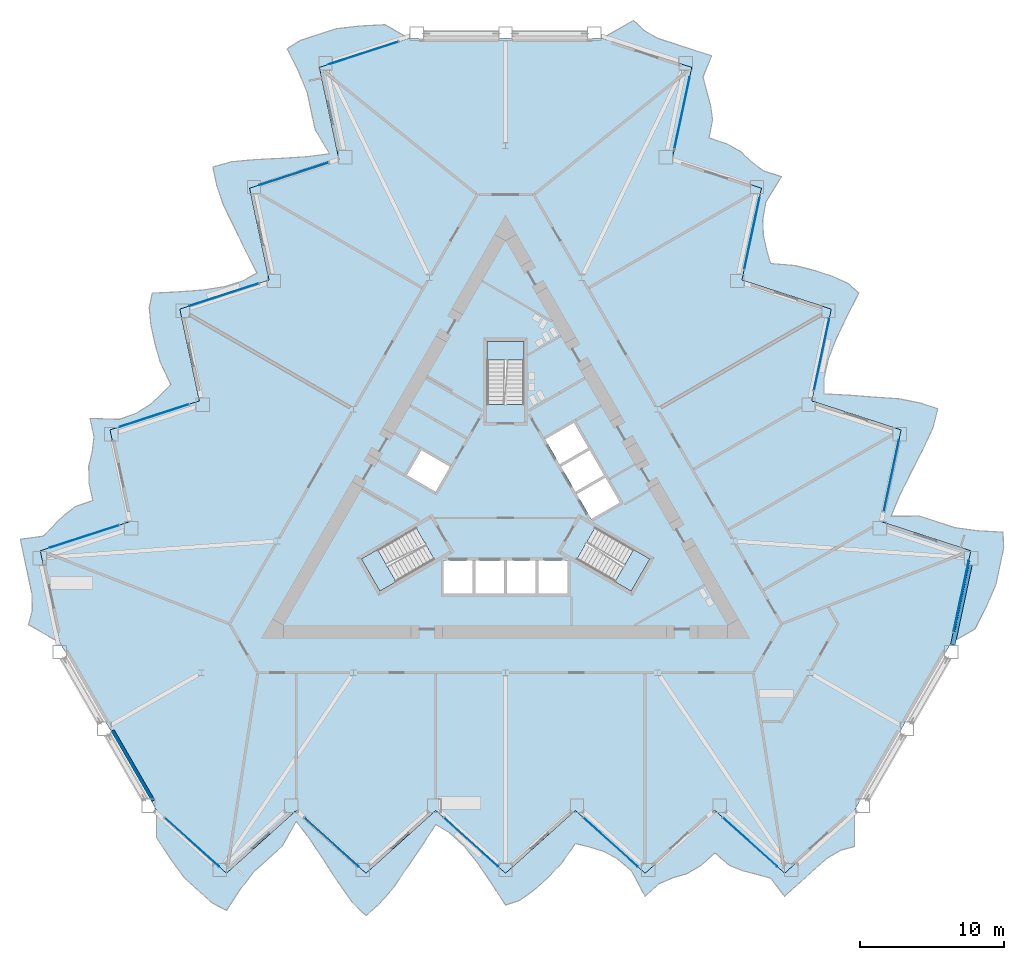
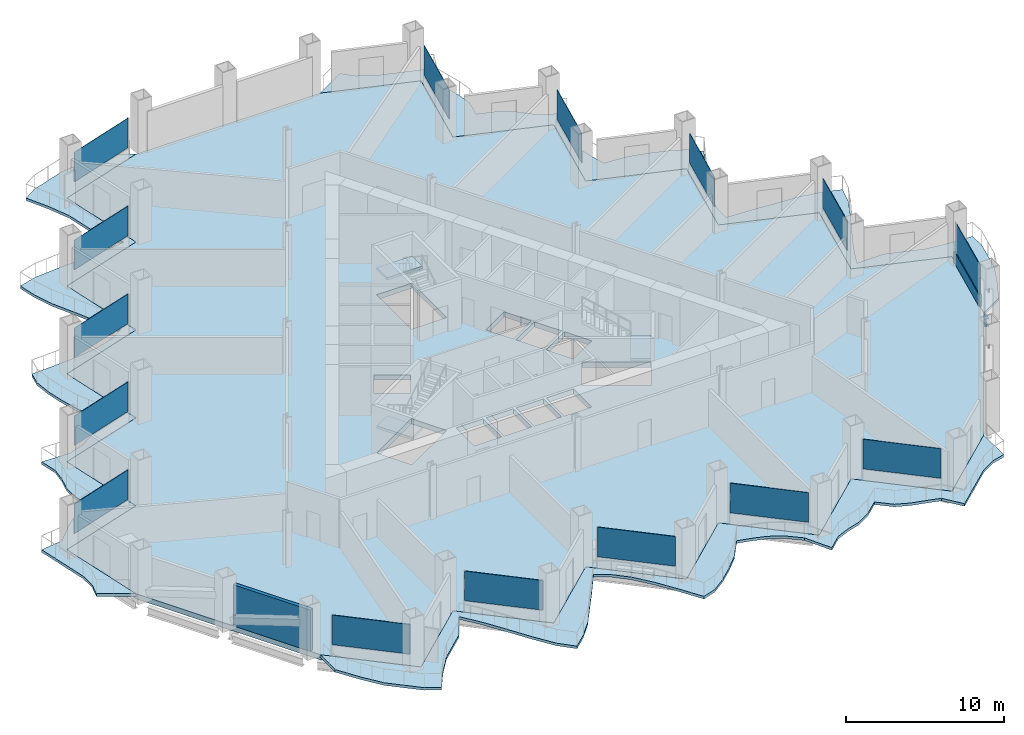
# One storey, part 8 of 21: 15 plates, 7 slabs, 1 beam, 1 member, 1 wall, 18 elements without a shape of their own.
"""IFC4 building model written with IfcOpenShell, lengths in metres."""

import ifcopenshell
import ifcopenshell.guid

model = None  # the IFC model being written
_history = None  # IfcOwnerHistory: only IFC2X3 demands one
_inside = {}  # id of a spatial element -> (the spatial element, [elements in it])
_under = {}  # id of a project, library or spatial element -> (it, [spatial elements below it])
_declared = {}  # id of a project -> (the project, [libraries it declares])
_typed = {}  # id of a type object -> (the type object, [elements of that type])
_made_of = {}  # id of a material, layer set ... -> (it, [elements and type objects made of it])


def new_model(schema):
    """Start an empty IFC model of exactly this schema.

    Asked for "IFC4X3", IfcOpenShell would pick the latest addendum, in which some entities
    have other attributes; the version numbers below select the first issue.
    IFC2X3 requires an IfcOwnerHistory on every rooted entity: one is made here for all.
    """
    global model, _history
    if schema == "IFC4X3":
        model = ifcopenshell.file(schema_version=(4, 3, 0, 0))
    else:
        model = ifcopenshell.file(schema=schema)
    _inside.clear()
    _under.clear()
    _declared.clear()
    _typed.clear()
    _made_of.clear()
    _history = None
    if model.schema == "IFC2X3":
        org = make("IfcOrganization", Name="unknown")
        user = make(
            "IfcPersonAndOrganization",
            ThePerson=make("IfcPerson", FamilyName="unknown"),
            TheOrganization=org,
        )
        app = make(
            "IfcApplication",
            ApplicationDeveloper=org,
            Version="unknown",
            ApplicationFullName="unknown",
            ApplicationIdentifier="unknown",
        )
        _history = make(
            "IfcOwnerHistory",
            OwningUser=user,
            OwningApplication=app,
            ChangeAction="ADDED",
            CreationDate=0,
        )
    return model


def make(cls, **values):
    """One entity of the class cls with the attributes given. An attribute that is None is left unset."""
    return model.create_entity(
        cls, **{name: value for name, value in values.items() if value is not None}
    )


def rooted(cls, **values):
    """An entity with a GlobalId (a new one), such as an element, a storey or a relation."""
    return make(cls, GlobalId=ifcopenshell.guid.new(), OwnerHistory=_history, **values)


def si_unit(unit_type, name, prefix=None):
    """IfcSIUnit, for example si_unit("LENGTHUNIT", "METRE", prefix="MILLI")."""
    return make("IfcSIUnit", UnitType=unit_type, Prefix=prefix, Name=name)


def assignment(units):
    """IfcUnitAssignment: the units of a project."""
    return None if units is None else make("IfcUnitAssignment", Units=units)


def point(xyz):
    """IfcCartesianPoint."""
    return None if xyz is None else make("IfcCartesianPoint", Coordinates=xyz)


def direction(xyz):
    """IfcDirection."""
    return None if xyz is None else make("IfcDirection", DirectionRatios=xyz)


def frame(location, z_axis=None, x_axis=None):
    """IfcAxis2Placement3D, a coordinate frame: its origin and axes. An axis left out is left unset."""
    return make(
        "IfcAxis2Placement3D",
        Location=point(location),
        Axis=direction(z_axis),
        RefDirection=direction(x_axis),
    )


def frame_2d(location, x_axis=None):
    """IfcAxis2Placement2D, a coordinate frame in the plane: its origin and x axis."""
    return make(
        "IfcAxis2Placement2D", Location=point(location), RefDirection=direction(x_axis)
    )


def origin():
    """The frame at (0, 0, 0) with its axes left unset."""
    return frame((0.0, 0.0, 0.0))


def origin_2d():
    """The frame at (0, 0) in the plane with its x axis left unset."""
    return frame_2d((0.0, 0.0))


def place(relative_to, where):
    """IfcLocalPlacement: puts the frame where relative to a parent placement (None: the world)."""
    return make(
        "IfcLocalPlacement", PlacementRelTo=relative_to, RelativePlacement=where
    )


def context(
    kind, dimensions, precision=None, world=None, true_north=None, identifier=None
):
    """IfcGeometricRepresentationContext, for example the 3D "Model" context."""
    return make(
        "IfcGeometricRepresentationContext",
        ContextIdentifier=identifier,
        ContextType=kind,
        CoordinateSpaceDimension=dimensions,
        Precision=precision,
        WorldCoordinateSystem=world,
        TrueNorth=true_north,
    )


def subcontext(parent, identifier, kind, view, scale=None):
    """IfcGeometricRepresentationSubContext, for example "Body" below "Model"."""
    return make(
        "IfcGeometricRepresentationSubContext",
        ContextIdentifier=identifier,
        ContextType=kind,
        ParentContext=parent,
        TargetScale=scale,
        TargetView=view,
    )


def project(units=None, contexts=None):
    """IfcProject with its units and contexts."""
    return rooted(
        "IfcProject",
        Name="project",
        RepresentationContexts=contexts,
        UnitsInContext=assignment(units),
    )


def spatial(cls, under=None, at=None, **own):
    """A site, building, storey or space (cls), placed at a placement, below another one or the project."""
    s = rooted(cls, ObjectPlacement=at, **own)
    if under is not None:
        _under.setdefault(under.id(), (under, []))[1].append(s)
    return s


def polyline(points):
    """IfcPolyline through the points."""
    return make("IfcPolyline", Points=[point(p) for p in points])


def profile(cls, at=None, kind="AREA", **sizes):
    """A parametric profile (cls). Its sizes go by their IFC names, for example OverallWidth=200.0."""
    return make(cls, ProfileType=kind, Position=at, **sizes)


def rectangle(**sizes):
    """IfcRectangleProfileDef."""
    return profile("IfcRectangleProfileDef", **sizes)


def i_section(**sizes):
    """IfcIShapeProfileDef."""
    return profile("IfcIShapeProfileDef", **sizes)


def outline(outer, holes=None, kind="AREA"):
    """IfcArbitraryClosedProfileDef: a profile drawn as a closed curve; with holes, ...WithVoids."""
    if holes is None:
        return make("IfcArbitraryClosedProfileDef", ProfileType=kind, OuterCurve=outer)
    return make(
        "IfcArbitraryProfileDefWithVoids",
        ProfileType=kind,
        OuterCurve=outer,
        InnerCurves=holes,
    )


def extrude(swept, where, along, depth):
    """IfcExtrudedAreaSolid: the profile swept, set in the frame where, extruded along a direction by depth."""
    return make(
        "IfcExtrudedAreaSolid",
        SweptArea=swept,
        Position=where,
        ExtrudedDirection=direction(along),
        Depth=depth,
    )


def shape(context_of_items, identifier, shape_type, items):
    """IfcShapeRepresentation: the items that make up one representation, for example the "Body"."""
    return make(
        "IfcShapeRepresentation",
        ContextOfItems=context_of_items,
        RepresentationIdentifier=identifier,
        RepresentationType=shape_type,
        Items=items,
    )


def material(Name=None, Category=None):
    """IfcMaterial."""
    return make("IfcMaterial", Name=Name, Category=Category)


def layer(
    of_material, thickness, ventilated=None, Name=None, Category=None, Priority=None
):
    """IfcMaterialLayer: one layer of a wall or slab, of a material (None: an air gap)."""
    return make(
        "IfcMaterialLayer",
        Material=of_material,
        LayerThickness=thickness,
        IsVentilated=ventilated,
        Name=Name,
        Category=Category,
        Priority=Priority,
    )


def layer_set(layers, Name=None):
    """IfcMaterialLayerSet."""
    return make("IfcMaterialLayerSet", MaterialLayers=layers, LayerSetName=Name)


def material_profile(
    of_material, cross_section, Name=None, Category=None, Priority=None
):
    """IfcMaterialProfile: a cross section and its material."""
    return make(
        "IfcMaterialProfile",
        Name=Name,
        Material=of_material,
        Profile=cross_section,
        Priority=Priority,
        Category=Category,
    )


def profile_set(profiles, Name=None, composite=None):
    """IfcMaterialProfileSet."""
    return make(
        "IfcMaterialProfileSet",
        Name=Name,
        MaterialProfiles=profiles,
        CompositeProfile=composite,
    )


def made_of(thing, what):
    """Note that an element or type object is made of a material, layer set ...; save() writes the relation."""
    if what is not None:
        _made_of.setdefault(what.id(), (what, []))[1].append(thing)
    return thing


def type_object(cls, material=None, **own):
    """A type object (cls), such as IfcWallType, which elements share."""
    return made_of(rooted(cls, **own), material)


def element(
    cls,
    number,
    at=None,
    inside=None,
    cuts=None,
    type_object=None,
    material=None,
    context=None,
    identifier="Body",
    shape_type=None,
    held_by="IfcProductDefinitionShape",
    body=None,
    shapes=None,
    **own,
):
    """One element of the class cls, such as IfcWall. Its Tag is "e" and its number.

    at: its placement. inside: the storey or other place that contains it. cuts: it is an
    opening in that element (IfcRelVoidsElement). A single representation is given by context,
    identifier, shape_type and body (its items); several are given by shapes. held_by: the class
    of the entity that holds the representations. save() writes the other relations.
    """
    e = rooted(cls, Tag="e%d" % number, ObjectPlacement=at, **own)
    if body is not None:
        shapes = [shape(context, identifier, shape_type, body)]
    if shapes is not None:
        e.Representation = make(held_by, Representations=shapes)
    if inside is not None:
        _inside.setdefault(inside.id(), (inside, []))[1].append(e)
    if cuts is not None:
        rooted(
            "IfcRelVoidsElement", RelatingBuildingElement=cuts, RelatedOpeningElement=e
        )
    if type_object is not None:
        _typed.setdefault(type_object.id(), (type_object, []))[1].append(e)
    return made_of(e, material)


def aggregate(whole, parts):
    """IfcRelAggregates: a whole, such as a stair, and the parts it consists of."""
    return rooted("IfcRelAggregates", RelatingObject=whole, RelatedObjects=parts)


def save(model, path):
    """Write the relations noted so far, then the file.

    IfcRelAggregates (storeys below a building ...), IfcRelContainedInSpatialStructure (elements
    in a storey), IfcRelDefinesByType, IfcRelAssociatesMaterial and IfcRelDeclares: one each for
    every whole, place, type object, material and project.
    """
    for whole, parts in _under.values():
        aggregate(whole, parts)
    for where, things in _inside.values():
        rooted(
            "IfcRelContainedInSpatialStructure",
            RelatedElements=things,
            RelatingStructure=where,
        )
    for kind, things in _typed.values():
        rooted("IfcRelDefinesByType", RelatedObjects=things, RelatingType=kind)
    for what, things in _made_of.values():
        rooted("IfcRelAssociatesMaterial", RelatedObjects=things, RelatingMaterial=what)
    for by, libraries in _declared.values():
        rooted("IfcRelDeclares", RelatingContext=by, RelatedDefinitions=libraries)
    model.write(path)


model = new_model("IFC4")

# Units and contexts
model_context = context("Model", 3, precision=1e-05, world=origin(), true_north=direction((0.0, 1.0)))
body_context = subcontext(model_context, "Body", "Model", "MODEL_VIEW")
ifc_project = project(units=[si_unit("LENGTHUNIT", "METRE"), si_unit("AREAUNIT", "SQUARE_METRE"), si_unit("VOLUMEUNIT", "CUBIC_METRE"), si_unit("PLANEANGLEUNIT", "RADIAN"), si_unit("MASSUNIT", "GRAM", prefix="KILO")], contexts=[model_context])

# Site, building, storey
site_placement = place(None, origin())
site = spatial("IfcSite", under=ifc_project, at=site_placement, CompositionType="ELEMENT")
building_placement = place(site_placement, origin())
building = spatial("IfcBuilding", under=site, at=building_placement, Name="Cormorant Prow Tower", CompositionType="ELEMENT")
storey_placement = place(building_placement, frame((0.0, 0.0, 42.60009765625)))
storey = spatial("IfcBuildingStorey", under=building, at=storey_placement, Name="L08", CompositionType="ELEMENT", Elevation=42.60009765625)

# Curtain wall, member
ifc_material_1 = material(Name="Aluminium 6063-T6", Category="aluminium")
ifc_layer_1 = layer(ifc_material_1, 0.199951171875)
ifc_layer_set_1 = layer_set([ifc_layer_1], Name="Aluminium 6063-T6")
curtain_wall_type = type_object("IfcCurtainWallType", Name="Office unitised curtain wall 200", PredefinedType="NOTDEFINED", material=ifc_layer_set_1)
curtain_wall_1_placement = place(storey_placement, origin())
curtain_wall_1 = element("IfcCurtainWall", 1, at=curtain_wall_1_placement, inside=storey, type_object=curtain_wall_type, Name="Office curtain wall ENE00", PredefinedType="NOTDEFINED")
ifc_material_2 = material(Name="Terracotta", Category="masonry")
ifc_material_profile_1 = material_profile(ifc_material_2, rectangle(XDim=0.159912109375, YDim=0.89990234375, at=origin_2d()), Name="Office terracotta spandrel rail 160x900")
ifc_profile_set_1 = profile_set([ifc_material_profile_1], Name="Terracotta")
member_type = type_object("IfcMemberType", Name="Office terracotta spandrel rail 160x900", PredefinedType="USERDEFINED", material=ifc_profile_set_1)
member_placement = place(storey_placement, frame((31.15869140625, -9.37255859375, 0.449951171875), z_axis=(0.207895659842, 0.978151008086, 0.0), x_axis=(-0.978151008086, 0.207895659842, 0.0)))
member = element("IfcMember", 2, at=member_placement, type_object=member_type, Name="Office spandrel rail ENE00", ObjectType="TRANSOM", PredefinedType="USERDEFINED", context=body_context, shape_type="SweptSolid", body=[
    extrude(rectangle(XDim=0.159912109375, YDim=0.89990234375, at=origin_2d()), origin(), (0.0, 0.0, 1.0), 5.063720703125),
])

# Beam
ifc_material_3 = material(Name="Structural steel ASTM A992 Gr 50", Category="steel")
ifc_material_profile_2 = material_profile(ifc_material_3, i_section(OverallWidth=0.32373046875, OverallDepth=0.611083984375, WebThickness=0.0126953125, FlangeThickness=0.01904296875, at=origin_2d()), Name="W24x104")
ifc_profile_set_2 = profile_set([ifc_material_profile_2], Name="Structural steel ASTM A992 Gr 50")
beam_type = type_object("IfcBeamType", Name="Spandrel beam W24x104", PredefinedType="SPANDREL", material=ifc_profile_set_2)
beam_placement = place(storey_placement, frame((31.10400390625, -10.28466796875, -0.70556640625), z_axis=(0.207900376723, 0.97815000555, 0.0), x_axis=(-0.97815000555, 0.207900376723, 0.0)))
element("IfcBeam", 3, at=beam_placement, inside=storey, type_object=beam_type, Name="Spandrel beam SB1 ENE00-ENE01 L08", PredefinedType="SPANDREL", context=body_context, shape_type="SweptSolid", body=[
    extrude(i_section(OverallWidth=0.32373046875, OverallDepth=0.611083984375, WebThickness=0.0126953125, FlangeThickness=0.01904296875, at=origin_2d()), origin(), (0.0, 0.0, 1.0), 5.6826171875),
])

# Slabs
ifc_material_4 = material(Name="Concrete C40/50", Category="concrete")
ifc_layer_2 = layer(ifc_material_4, 0.199951171875)
ifc_layer_set_2 = layer_set([ifc_layer_2], Name="Concrete C40/50")
slab_type_1 = type_object("IfcSlabType", Name="Balcony slab 200", PredefinedType="FLOOR", material=ifc_layer_set_2)
slab_1_placement = place(storey_placement, frame((0.0, 0.0, -0.2001953125)))
element("IfcSlab", 4, at=slab_1_placement, inside=storey, type_object=slab_type_1, Name="Balcony slab S L08", PredefinedType="FLOOR", context=body_context, shape_type="SweptSolid", body=[
    extrude(outline(polyline([(-24.263427734375, -21.787353515625), (-24.263427734375, -23.687255859375), (-23.292724609375, -25.174560546875), (-22.322265625, -26.485107421875), (-21.351806640625, -27.35888671875), (-20.381103515625, -28.232666015625), (-19.41064453125, -28.73876953125), (-18.440185546875, -27.26318359375), (-17.469482421875, -26.0087890625), (-16.4990234375, -25.135009765625), (-15.528564453125, -24.26123046875), (-14.55810546875, -22.5439453125), (-13.58740234375, -23.81298828125), (-12.616943359375, -25.2744140625), (-11.646484375, -26.777099609375), (-10.67578125, -28.159423828125), (-9.705322265625, -29.106689453125), (-8.73486328125, -28.232666015625), (-7.76416015625, -27.1201171875), (-6.793701171875, -25.67529296875), (-5.8232421875, -24.26123046875), (-4.852783203125, -22.762939453125), (-3.882080078125, -23.3427734375), (-2.91162109375, -24.236328125), (-1.941162109375, -25.438232421875), (-0.970458984375, -26.864013671875), (0.0, -28.3720703125), (0.970458984375, -28.051025390625), (1.941162109375, -27.35888671875), (2.91162109375, -26.485107421875), (3.882080078125, -25.48779296875), (4.852783203125, -24.083251953125), (5.8232421875, -24.32421875), (6.793701171875, -24.62646484375), (7.76416015625, -25.13671875), (8.73486328125, -25.948486328125), (9.705322265625, -27.756591796875), (10.67578125, -26.8828125), (11.646484375, -26.46630859375), (12.616943359375, -26.180419921875), (13.58740234375, -25.611083984375), (14.55810546875, -24.7373046875), (15.528564453125, -25.587890625), (16.4990234375, -25.97998046875), (17.469482421875, -26.231689453125), (18.440185546875, -26.50341796875), (19.41064453125, -27.756591796875), (20.381103515625, -26.8828125), (21.351806640625, -26.0087890625), (22.322265625, -25.135009765625), (23.292724609375, -24.557861328125), (24.263427734375, -24.297607421875), (24.263427734375, -21.787353515625), (23.292724609375, -22.6611328125), (22.322265625, -23.534912109375), (21.351806640625, -24.408935546875), (20.381103515625, -25.28271484375), (19.41064453125, -26.15673828125), (18.440185546875, -25.28271484375), (17.469482421875, -24.408935546875), (16.4990234375, -23.534912109375), (15.528564453125, -22.6611328125), (14.55810546875, -21.787353515625), (13.58740234375, -22.6611328125), (12.616943359375, -23.534912109375), (11.646484375, -24.408935546875), (10.67578125, -25.28271484375), (9.705322265625, -26.15673828125), (8.73486328125, -25.28271484375), (7.76416015625, -24.408935546875), (6.793701171875, -23.534912109375), (5.8232421875, -22.6611328125), (4.852783203125, -21.787353515625), (3.882080078125, -22.6611328125), (2.91162109375, -23.534912109375), (1.941162109375, -24.408935546875), (0.970458984375, -25.28271484375), (0.0, -26.15673828125), (-0.970458984375, -25.28271484375), (-1.941162109375, -24.408935546875), (-2.91162109375, -23.534912109375), (-3.882080078125, -22.6611328125), (-4.852783203125, -21.787353515625), (-5.8232421875, -22.6611328125), (-6.793701171875, -23.534912109375), (-7.76416015625, -24.408935546875), (-8.73486328125, -25.28271484375), (-9.705322265625, -26.15673828125), (-10.67578125, -25.28271484375), (-11.646484375, -24.408935546875), (-12.616943359375, -23.534912109375), (-13.58740234375, -22.6611328125), (-14.55810546875, -21.787353515625), (-15.528564453125, -22.6611328125), (-16.4990234375, -23.534912109375), (-17.469482421875, -24.408935546875), (-18.440185546875, -25.28271484375), (-19.41064453125, -26.15673828125), (-20.381103515625, -25.28271484375), (-21.351806640625, -24.408935546875), (-22.322265625, -23.534912109375), (-23.292724609375, -22.6611328125), (-24.263427734375, -21.787353515625)])), origin(), (0.0, 0.0, 1.0), 0.2001953125),
])
slab_2_placement = place(storey_placement, frame((0.0, 0.0, -0.2001953125)))
element("IfcSlab", 5, at=slab_2_placement, inside=storey, type_object=slab_type_1, Name="Balcony slab ENE L08", PredefinedType="FLOOR", context=body_context, shape_type="SweptSolid", body=[
    extrude(outline(polyline([(31.0, -10.118896484375), (32.6455078125, -9.1689453125), (33.4482421875, -7.5849609375), (34.097900390625, -6.089111328125), (34.369384765625, -4.811767578125), (34.640869140625, -3.5341796875), (34.593994140625, -2.440673828125), (32.830810546875, -2.337890625), (31.25927734375, -2.124755859375), (30.01708984375, -1.72119140625), (28.775146484375, -1.317626953125), (26.802734375, -1.335693359375), (27.416259765625, 0.139404296875), (28.19677734375, 1.710693359375), (29.012939453125, 3.302490234375), (29.724609375, 4.834228515625), (30.059814453125, 6.148193359375), (28.817626953125, 6.5517578125), (27.368896484375, 6.8359375), (25.63232421875, 6.9541015625), (23.92236328125, 7.087646484375), (22.1396484375, 7.178955078125), (22.156494140625, 8.309326171875), (22.445068359375, 9.5966796875), (23.000732421875, 11.0380859375), (23.750244140625, 12.591552734375), (24.57080078125, 14.18603515625), (23.8076171875, 14.865966796875), (22.722900390625, 15.3603515625), (21.48095703125, 15.763916015625), (20.132080078125, 16.10595703125), (18.43017578125, 16.244140625), (18.15380859375, 17.205322265625), (17.93017578125, 18.19677734375), (17.88671875, 19.292236328125), (18.1044921875, 20.538818359375), (19.185302734375, 22.283447265625), (17.943115234375, 22.68701171875), (17.09716796875, 23.319091796875), (16.364501953125, 24.016845703125), (15.38623046875, 24.57275390625), (14.14404296875, 24.976318359375), (14.3955078125, 26.2421875), (14.249755859375, 27.278564453125), (13.982666015625, 28.2451171875), (13.732666015625, 29.221435546875), (14.33251953125, 30.6884765625), (13.090576171875, 31.092041015625), (11.8486328125, 31.49560546875), (10.6064453125, 31.899169921875), (9.621337890625, 32.450927734375), (8.91064453125, 33.161376953125), (6.736572265625, 31.90625), (7.978759765625, 31.502685546875), (9.220703125, 31.09912109375), (10.462890625, 30.695556640625), (11.704833984375, 30.2919921875), (12.947021484375, 29.888427734375), (12.675537109375, 28.611083984375), (12.404052734375, 27.33349609375), (12.13232421875, 26.05615234375), (11.86083984375, 24.778564453125), (11.58935546875, 23.501220703125), (12.831298828125, 23.09765625), (14.073486328125, 22.694091796875), (15.3154296875, 22.29052734375), (16.5576171875, 21.886962890625), (17.799560546875, 21.4833984375), (17.528076171875, 20.2060546875), (17.256591796875, 18.928466796875), (16.985107421875, 17.651123046875), (16.713623046875, 16.37353515625), (16.44189453125, 15.09619140625), (17.68408203125, 14.692626953125), (18.926025390625, 14.2890625), (20.168212890625, 13.885498046875), (21.41015625, 13.48193359375), (22.65234375, 13.078369140625), (22.380859375, 11.80078125), (22.109375, 10.5234375), (21.837646484375, 9.24609375), (21.566162109375, 7.968505859375), (21.294677734375, 6.691162109375), (22.53662109375, 6.28759765625), (23.77880859375, 5.884033203125), (25.020751953125, 5.48046875), (26.262939453125, 5.076904296875), (27.5048828125, 4.67333984375), (27.2333984375, 3.395751953125), (26.9619140625, 2.118408203125), (26.6904296875, 0.8408203125), (26.4189453125, -0.4365234375), (26.147216796875, -1.7138671875), (27.389404296875, -2.117431640625), (28.63134765625, -2.52099609375), (29.87353515625, -2.924560546875), (31.115478515625, -3.328125), (32.357666015625, -3.731689453125), (32.086181640625, -5.00927734375), (31.814697265625, -6.28662109375), (31.54296875, -7.564208984375), (31.271484375, -8.841552734375), (31.0, -10.118896484375)])), origin(), (0.0, 0.0, 1.0), 0.2001953125),
])
slab_3_placement = place(storey_placement, frame((0.0, 0.0, -0.2001953125)))
element("IfcSlab", 6, at=slab_3_placement, inside=storey, type_object=slab_type_1, Name="Balcony slab WNW L08", PredefinedType="FLOOR", context=body_context, shape_type="SweptSolid", body=[
    extrude(outline(polyline([(-6.736572265625, 31.90625), (-8.382080078125, 32.856201171875), (-10.1552734375, 32.75927734375), (-11.775634765625, 32.57421875), (-13.017578125, 32.170654296875), (-14.259765625, 31.76708984375), (-15.183349609375, 31.179443359375), (-14.390625, 29.601318359375), (-13.78955078125, 28.133544921875), (-13.51806640625, 26.856201171875), (-13.24658203125, 25.57861328125), (-12.24462890625, 23.879638671875), (-13.828857421875, 23.673583984375), (-15.579833984375, 23.563720703125), (-17.366455078125, 23.474609375), (-19.048828125, 23.3251953125), (-20.3544921875, 22.95849609375), (-20.0830078125, 21.680908203125), (-19.6044921875, 20.2841796875), (-18.838623046875, 18.72119140625), (-18.09912109375, 17.173583984375), (-17.286865234375, 15.583984375), (-18.2744140625, 15.033447265625), (-19.533447265625, 14.6396484375), (-21.0595703125, 14.400146484375), (-22.77978515625, 14.2724609375), (-24.57080078125, 14.18603515625), (-24.7783203125, 13.18505859375), (-24.6640625, 11.99853515625), (-24.392578125, 10.720947265625), (-24.01416015625, 9.3818359375), (-23.282958984375, 7.839111328125), (-23.97705078125, 7.119140625), (-24.723876953125, 6.4296875), (-25.651123046875, 5.84423828125), (-26.83935546875, 5.40966796875), (-28.890625, 5.47314453125), (-28.619140625, 4.19580078125), (-28.74365234375, 3.14697265625), (-28.9814453125, 2.16357421875), (-28.9736328125, 1.03857421875), (-28.7021484375, -0.239013671875), (-29.924072265625, -0.654052734375), (-30.748779296875, -1.298583984375), (-31.4521484375, -2.01318359375), (-32.172607421875, -2.718017578125), (-33.7431640625, -2.931884765625), (-33.4716796875, -4.209228515625), (-33.2001953125, -5.486572265625), (-32.9287109375, -6.76416015625), (-32.9140625, -7.893310546875), (-33.174072265625, -8.86376953125), (-31.0, -10.118896484375), (-31.271484375, -8.841552734375), (-31.54296875, -7.564208984375), (-31.814697265625, -6.28662109375), (-32.086181640625, -5.00927734375), (-32.357666015625, -3.731689453125), (-31.115478515625, -3.328125), (-29.87353515625, -2.924560546875), (-28.63134765625, -2.52099609375), (-27.389404296875, -2.117431640625), (-26.147216796875, -1.7138671875), (-26.4189453125, -0.4365234375), (-26.6904296875, 0.8408203125), (-26.9619140625, 2.118408203125), (-27.2333984375, 3.395751953125), (-27.5048828125, 4.67333984375), (-26.262939453125, 5.076904296875), (-25.020751953125, 5.48046875), (-23.77880859375, 5.884033203125), (-22.53662109375, 6.28759765625), (-21.294677734375, 6.691162109375), (-21.566162109375, 7.968505859375), (-21.837646484375, 9.24609375), (-22.109375, 10.5234375), (-22.380859375, 11.80078125), (-22.65234375, 13.078369140625), (-21.41015625, 13.48193359375), (-20.168212890625, 13.885498046875), (-18.926025390625, 14.2890625), (-17.68408203125, 14.692626953125), (-16.44189453125, 15.09619140625), (-16.713623046875, 16.37353515625), (-16.985107421875, 17.651123046875), (-17.256591796875, 18.928466796875), (-17.528076171875, 20.2060546875), (-17.799560546875, 21.4833984375), (-16.5576171875, 21.886962890625), (-15.3154296875, 22.29052734375), (-14.073486328125, 22.694091796875), (-12.831298828125, 23.09765625), (-11.58935546875, 23.501220703125), (-11.86083984375, 24.778564453125), (-12.13232421875, 26.05615234375), (-12.404052734375, 27.33349609375), (-12.675537109375, 28.611083984375), (-12.947021484375, 29.888427734375), (-11.704833984375, 30.2919921875), (-10.462890625, 30.695556640625), (-9.220703125, 31.09912109375), (-7.978759765625, 31.502685546875), (-6.736572265625, 31.90625)])), origin(), (0.0, 0.0, 1.0), 0.2001953125),
])

# Curtain wall, plate
curtain_wall_2_placement = place(storey_placement, origin())
curtain_wall_2 = element("IfcCurtainWall", 7, at=curtain_wall_2_placement, inside=storey, type_object=curtain_wall_type, Name="Office curtain wall S00", PredefinedType="NOTDEFINED")
ifc_material_5 = material(Name="Clear glass", Category="glass")
ifc_layer_3 = layer(ifc_material_5, 0.031982421875)
ifc_layer_set_3 = layer_set([ifc_layer_3], Name="Clear glass")
plate_type = type_object("IfcPlateType", Name="Office glass panel 32", PredefinedType="CURTAIN_PANEL", material=ifc_layer_set_3)
plate_1_placement = place(storey_placement, frame((-21.814697265625, -23.991943359375, 0.89990234375), z_axis=(0.0, 0.0, 1.0), x_axis=(0.743144855234, -0.66913057331, 0.0)))
plate_1 = element("IfcPlate", 8, at=plate_1_placement, type_object=plate_type, Name="Office glass panel S00", PredefinedType="CURTAIN_PANEL", context=body_context, shape_type="SweptSolid", body=[
    extrude(rectangle(XDim=5.06396484375, YDim=0.031982421875, at=origin_2d()), origin(), (0.0, 0.0, 1.0), 2.288818359375),
])
aggregate(curtain_wall_2, [plate_1])

curtain_wall_3_placement = place(storey_placement, origin())
curtain_wall_3 = element("IfcCurtainWall", 9, at=curtain_wall_3_placement, inside=storey, type_object=curtain_wall_type, Name="Office curtain wall S02", PredefinedType="NOTDEFINED")
plate_2_placement = place(storey_placement, frame((-12.109375, -23.991943359375, 0.89990234375), z_axis=(0.0, 0.0, 1.0), x_axis=(0.743144855234, -0.66913057331, 0.0)))
plate_2 = element("IfcPlate", 10, at=plate_2_placement, type_object=plate_type, Name="Office glass panel S02", PredefinedType="CURTAIN_PANEL", context=body_context, shape_type="SweptSolid", body=[
    extrude(rectangle(XDim=5.06396484375, YDim=0.031982421875, at=origin_2d()), origin(), (0.0, 0.0, 1.0), 2.288818359375),
])
aggregate(curtain_wall_3, [plate_2])

curtain_wall_4_placement = place(storey_placement, origin())
curtain_wall_4 = element("IfcCurtainWall", 11, at=curtain_wall_4_placement, inside=storey, type_object=curtain_wall_type, Name="Office curtain wall S04", PredefinedType="NOTDEFINED")
plate_3_placement = place(storey_placement, frame((-2.404052734375, -23.991943359375, 0.89990234375), z_axis=(0.0, 0.0, 1.0), x_axis=(0.743144855234, -0.66913057331, 0.0)))
plate_3 = element("IfcPlate", 12, at=plate_3_placement, type_object=plate_type, Name="Office glass panel S04", PredefinedType="CURTAIN_PANEL", context=body_context, shape_type="SweptSolid", body=[
    extrude(rectangle(XDim=5.06396484375, YDim=0.031982421875, at=origin_2d()), origin(), (0.0, 0.0, 1.0), 2.288818359375),
])
aggregate(curtain_wall_4, [plate_3])

curtain_wall_5_placement = place(storey_placement, origin())
curtain_wall_5 = element("IfcCurtainWall", 13, at=curtain_wall_5_placement, inside=storey, type_object=curtain_wall_type, Name="Office curtain wall S06", PredefinedType="NOTDEFINED")
plate_4_placement = place(storey_placement, frame((7.30126953125, -23.991943359375, 0.89990234375), z_axis=(0.0, 0.0, 1.0), x_axis=(0.74314478667, -0.669130649459, 0.0)))
plate_4 = element("IfcPlate", 14, at=plate_4_placement, type_object=plate_type, Name="Office glass panel S06", PredefinedType="CURTAIN_PANEL", context=body_context, shape_type="SweptSolid", body=[
    extrude(rectangle(XDim=5.06396484375, YDim=0.031982421875, at=origin_2d()), origin(), (0.0, 0.0, 1.0), 2.288818359375),
])
aggregate(curtain_wall_5, [plate_4])

curtain_wall_6_placement = place(storey_placement, origin())
curtain_wall_6 = element("IfcCurtainWall", 15, at=curtain_wall_6_placement, inside=storey, type_object=curtain_wall_type, Name="Office curtain wall S08", PredefinedType="NOTDEFINED")
plate_5_placement = place(storey_placement, frame((17.006591796875, -23.991943359375, 0.89990234375), z_axis=(0.0, 0.0, 1.0), x_axis=(0.743144855234, -0.66913057331, 0.0)))
plate_5 = element("IfcPlate", 16, at=plate_5_placement, type_object=plate_type, Name="Office glass panel S08", PredefinedType="CURTAIN_PANEL", context=body_context, shape_type="SweptSolid", body=[
    extrude(rectangle(XDim=5.06396484375, YDim=0.031982421875, at=origin_2d()), origin(), (0.0, 0.0, 1.0), 2.288818359375),
])
aggregate(curtain_wall_6, [plate_5])

# Plate
plate_6_placement = place(storey_placement, frame((31.68505859375, -6.89599609375, 0.89990234375), z_axis=(0.0, 0.0, 1.0), x_axis=(0.207911695052, 0.978147599834, 0.0)))
plate_6 = element("IfcPlate", 17, at=plate_6_placement, type_object=plate_type, Name="Office glass panel ENE00", PredefinedType="CURTAIN_PANEL", context=body_context, shape_type="SweptSolid", body=[
    extrude(rectangle(XDim=5.06396484375, YDim=0.031982421875, at=origin_2d()), origin(), (0.0, 0.0, 1.0), 2.288818359375),
])

aggregate(curtain_wall_1, [member, plate_6])

# Curtain wall, plate
curtain_wall_7_placement = place(storey_placement, origin())
curtain_wall_7 = element("IfcCurtainWall", 18, at=curtain_wall_7_placement, inside=storey, type_object=curtain_wall_type, Name="Office curtain wall ENE02", PredefinedType="NOTDEFINED")
plate_7_placement = place(storey_placement, frame((26.832275390625, 1.509033203125, 0.89990234375), z_axis=(0.0, 0.0, 1.0), x_axis=(0.207911695052, 0.978147599834, 0.0)))
plate_7 = element("IfcPlate", 19, at=plate_7_placement, type_object=plate_type, Name="Office glass panel ENE02", PredefinedType="CURTAIN_PANEL", context=body_context, shape_type="SweptSolid", body=[
    extrude(rectangle(XDim=5.06396484375, YDim=0.031982421875, at=origin_2d()), origin(), (0.0, 0.0, 1.0), 2.288818359375),
])
aggregate(curtain_wall_7, [plate_7])

curtain_wall_8_placement = place(storey_placement, origin())
curtain_wall_8 = element("IfcCurtainWall", 20, at=curtain_wall_8_placement, inside=storey, type_object=curtain_wall_type, Name="Office curtain wall ENE04", PredefinedType="NOTDEFINED")
plate_8_placement = place(storey_placement, frame((21.979736328125, 9.9140625, 0.89990234375), z_axis=(0.0, 0.0, 1.0), x_axis=(0.207911695052, 0.978147599834, 0.0)))
plate_8 = element("IfcPlate", 21, at=plate_8_placement, type_object=plate_type, Name="Office glass panel ENE04", PredefinedType="CURTAIN_PANEL", context=body_context, shape_type="SweptSolid", body=[
    extrude(rectangle(XDim=5.06396484375, YDim=0.031982421875, at=origin_2d()), origin(), (0.0, 0.0, 1.0), 2.288818359375),
])
aggregate(curtain_wall_8, [plate_8])

curtain_wall_9_placement = place(storey_placement, origin())
curtain_wall_9 = element("IfcCurtainWall", 22, at=curtain_wall_9_placement, inside=storey, type_object=curtain_wall_type, Name="Office curtain wall ENE06", PredefinedType="NOTDEFINED")
plate_9_placement = place(storey_placement, frame((17.126953125, 18.319091796875, 0.89990234375), z_axis=(0.0, 0.0, 1.0), x_axis=(0.207911548524, 0.978147630979, 0.0)))
plate_9 = element("IfcPlate", 23, at=plate_9_placement, type_object=plate_type, Name="Office glass panel ENE06", PredefinedType="CURTAIN_PANEL", context=body_context, shape_type="SweptSolid", body=[
    extrude(rectangle(XDim=5.06396484375, YDim=0.031982421875, at=origin_2d()), origin(), (0.0, 0.0, 1.0), 2.288818359375),
])
aggregate(curtain_wall_9, [plate_9])

curtain_wall_10_placement = place(storey_placement, origin())
curtain_wall_10 = element("IfcCurtainWall", 24, at=curtain_wall_10_placement, inside=storey, type_object=curtain_wall_type, Name="Office curtain wall ENE08", PredefinedType="NOTDEFINED")
plate_10_placement = place(storey_placement, frame((12.2744140625, 26.72412109375, 0.89990234375), z_axis=(0.0, 0.0, 1.0), x_axis=(0.207911695052, 0.978147599834, 0.0)))
plate_10 = element("IfcPlate", 25, at=plate_10_placement, type_object=plate_type, Name="Office glass panel ENE08", PredefinedType="CURTAIN_PANEL", context=body_context, shape_type="SweptSolid", body=[
    extrude(rectangle(XDim=5.06396484375, YDim=0.031982421875, at=origin_2d()), origin(), (0.0, 0.0, 1.0), 2.288818359375),
])
aggregate(curtain_wall_10, [plate_10])

curtain_wall_11_placement = place(storey_placement, origin())
curtain_wall_11 = element("IfcCurtainWall", 26, at=curtain_wall_11_placement, inside=storey, type_object=curtain_wall_type, Name="Office curtain wall WNW00", PredefinedType="NOTDEFINED")
plate_11_placement = place(storey_placement, frame((-9.870361328125, 30.88818359375, 0.89990234375), z_axis=(0.0, 0.0, 1.0), x_axis=(-0.951056534935, -0.309016937009, 0.0)))
plate_11 = element("IfcPlate", 27, at=plate_11_placement, type_object=plate_type, Name="Office glass panel WNW00", PredefinedType="CURTAIN_PANEL", context=body_context, shape_type="SweptSolid", body=[
    extrude(rectangle(XDim=5.06396484375, YDim=0.031982421875, at=origin_2d()), origin(), (0.0, 0.0, 1.0), 2.288818359375),
])
aggregate(curtain_wall_11, [plate_11])

curtain_wall_12_placement = place(storey_placement, origin())
curtain_wall_12 = element("IfcCurtainWall", 28, at=curtain_wall_12_placement, inside=storey, type_object=curtain_wall_type, Name="Office curtain wall WNW02", PredefinedType="NOTDEFINED")
plate_12_placement = place(storey_placement, frame((-14.72314453125, 22.483154296875, 0.89990234375), z_axis=(0.0, 0.0, 1.0), x_axis=(-0.951056534935, -0.309016937009, 0.0)))
plate_12 = element("IfcPlate", 29, at=plate_12_placement, type_object=plate_type, Name="Office glass panel WNW02", PredefinedType="CURTAIN_PANEL", context=body_context, shape_type="SweptSolid", body=[
    extrude(rectangle(XDim=5.06396484375, YDim=0.031982421875, at=origin_2d()), origin(), (0.0, 0.0, 1.0), 2.288818359375),
])
aggregate(curtain_wall_12, [plate_12])

curtain_wall_13_placement = place(storey_placement, origin())
curtain_wall_13 = element("IfcCurtainWall", 30, at=curtain_wall_13_placement, inside=storey, type_object=curtain_wall_type, Name="Office curtain wall WNW04", PredefinedType="NOTDEFINED")
plate_13_placement = place(storey_placement, frame((-19.57568359375, 14.077880859375, 0.89990234375), z_axis=(0.0, 0.0, 1.0), x_axis=(-0.951056549556, -0.309016892008, 0.0)))
plate_13 = element("IfcPlate", 31, at=plate_13_placement, type_object=plate_type, Name="Office glass panel WNW04", PredefinedType="CURTAIN_PANEL", context=body_context, shape_type="SweptSolid", body=[
    extrude(rectangle(XDim=5.06396484375, YDim=0.031982421875, at=origin_2d()), origin(), (0.0, 0.0, 1.0), 2.288818359375),
])
aggregate(curtain_wall_13, [plate_13])

curtain_wall_14_placement = place(storey_placement, origin())
curtain_wall_14 = element("IfcCurtainWall", 32, at=curtain_wall_14_placement, inside=storey, type_object=curtain_wall_type, Name="Office curtain wall WNW06", PredefinedType="NOTDEFINED")
plate_14_placement = place(storey_placement, frame((-24.428466796875, 5.6728515625, 0.89990234375), z_axis=(0.0, 0.0, 1.0), x_axis=(-0.951056534935, -0.309016937009, 0.0)))
plate_14 = element("IfcPlate", 33, at=plate_14_placement, type_object=plate_type, Name="Office glass panel WNW06", PredefinedType="CURTAIN_PANEL", context=body_context, shape_type="SweptSolid", body=[
    extrude(rectangle(XDim=5.06396484375, YDim=0.031982421875, at=origin_2d()), origin(), (0.0, 0.0, 1.0), 2.288818359375),
])
aggregate(curtain_wall_14, [plate_14])

curtain_wall_15_placement = place(storey_placement, origin())
curtain_wall_15 = element("IfcCurtainWall", 34, at=curtain_wall_15_placement, inside=storey, type_object=curtain_wall_type, Name="Office curtain wall WNW08", PredefinedType="NOTDEFINED")
plate_15_placement = place(storey_placement, frame((-29.281005859375, -2.732177734375, 0.89990234375), z_axis=(0.0, 0.0, 1.0), x_axis=(-0.951056549556, -0.309016892008, 0.0)))
plate_15 = element("IfcPlate", 35, at=plate_15_placement, type_object=plate_type, Name="Office glass panel WNW08", PredefinedType="CURTAIN_PANEL", context=body_context, shape_type="SweptSolid", body=[
    extrude(rectangle(XDim=5.06396484375, YDim=0.031982421875, at=origin_2d()), origin(), (0.0, 0.0, 1.0), 2.288818359375),
])
aggregate(curtain_wall_15, [plate_15])

# Slab
ifc_material_6 = material(Name="Concrete C40/50", Category="concrete")
ifc_layer_4 = layer(ifc_material_6, 0.39990234375)
ifc_layer_set_4 = layer_set([ifc_layer_4], Name="Concrete C40/50")
slab_type_2 = type_object("IfcSlabType", Name="Post-tensioned flat slab 400", PredefinedType="FLOOR", material=ifc_layer_set_4)
slab_4_placement = place(storey_placement, frame((0.0, 0.0, -0.400146484375)))
element("IfcSlab", 36, at=slab_4_placement, inside=storey, type_object=slab_type_2, Name="Floor slab L08", PredefinedType="FLOOR", context=body_context, shape_type="SweptSolid", body=[
    extrude(outline(polyline([(-12.947021484375, 29.888427734375), (-11.58935546875, 23.501220703125), (-17.799560546875, 21.4833984375), (-16.44189453125, 15.09619140625), (-22.65234375, 13.078369140625), (-21.294677734375, 6.691162109375), (-27.5048828125, 4.67333984375), (-26.147216796875, -1.7138671875), (-32.357666015625, -3.731689453125), (-31.0, -10.118896484375), (-27.631591796875, -15.953125), (-24.263427734375, -21.787353515625), (-19.41064453125, -26.15673828125), (-14.55810546875, -21.787353515625), (-9.705322265625, -26.15673828125), (-4.852783203125, -21.787353515625), (0.0, -26.15673828125), (4.852783203125, -21.787353515625), (9.705322265625, -26.15673828125), (14.55810546875, -21.787353515625), (19.41064453125, -26.15673828125), (24.263427734375, -21.787353515625), (27.631591796875, -15.953125), (31.0, -10.118896484375), (32.357666015625, -3.731689453125), (26.147216796875, -1.7138671875), (27.5048828125, 4.67333984375), (21.294677734375, 6.691162109375), (22.65234375, 13.078369140625), (16.44189453125, 15.09619140625), (17.799560546875, 21.4833984375), (11.58935546875, 23.501220703125), (12.947021484375, 29.888427734375), (6.736572265625, 31.90625), (0.0, 31.90625), (-6.736572265625, 31.90625), (-12.947021484375, 29.888427734375)]), holes=[polyline([(-4.300048828125, -6.699951171875), (-4.300048828125, -4.39990234375), (-2.300048828125, -4.39990234375), (-2.300048828125, -6.699951171875), (-4.300048828125, -6.699951171875)]), polyline([(-2.10009765625, -4.39990234375), (-0.10009765625, -4.39990234375), (-0.10009765625, -6.699951171875), (-2.10009765625, -6.699951171875), (-2.10009765625, -4.39990234375)]), polyline([(2.10009765625, -4.39990234375), (2.10009765625, -6.699951171875), (0.10009765625, -6.699951171875), (0.10009765625, -4.39990234375), (2.10009765625, -4.39990234375)]), polyline([(4.300048828125, -6.699951171875), (2.300048828125, -6.699951171875), (2.300048828125, -4.39990234375), (4.300048828125, -4.39990234375), (4.300048828125, -6.699951171875)]), polyline([(7.952392578125, -0.373779296875), (5.96044921875, -1.52392578125), (4.96044921875, 0.2080078125), (6.952392578125, 1.358154296875), (7.952392578125, -0.373779296875)]), polyline([(4.860595703125, 0.38134765625), (3.860595703125, 2.11328125), (5.852294921875, 3.263427734375), (6.852294921875, 1.53125), (4.860595703125, 0.38134765625)]), polyline([(2.760498046875, 4.018798828125), (4.75244140625, 5.168701171875), (5.75244140625, 3.4365234375), (3.760498046875, 2.28662109375), (2.760498046875, 4.018798828125)]), polyline([(-6.852294921875, 1.53125), (-5.852294921875, 3.263427734375), (-3.860595703125, 2.11328125), (-4.860595703125, 0.38134765625), (-6.852294921875, 1.53125)]), polyline([(-4.947509765625, -4.3505859375), (-8.738037109375, -6.5390625), (-10.031982421875, -4.2978515625), (-6.241455078125, -2.109375), (-4.947509765625, -4.3505859375)]), polyline([(10.031982421875, -4.2978515625), (8.738037109375, -6.5390625), (4.947509765625, -4.3505859375), (6.241455078125, -2.109375), (10.031982421875, -4.2978515625)]), polyline([(1.2939453125, 10.8369140625), (1.2939453125, 6.459716796875), (-1.2939453125, 6.459716796875), (-1.2939453125, 10.8369140625), (1.2939453125, 10.8369140625)])]), origin(), (0.0, 0.0, 1.0), 0.400146484375),
])

# Stair, slab
ifc_material_7 = material(Name="Exit stair 24 risers")
stair_type = type_object("IfcStairType", Name="Exit stair 24 risers", PredefinedType="HALF_TURN_STAIR", material=ifc_material_7)
stair_1_placement = place(storey_placement, origin())
stair_1 = element("IfcStair", 37, at=stair_1_placement, inside=storey, type_object=stair_type, Name="L08 Exit stair ST1", PredefinedType="HALF_TURN_STAIR")
ifc_material_8 = material(Name="Concrete 5000 psi", Category="concrete")
ifc_layer_5 = layer(ifc_material_8, 0.199951171875)
ifc_layer_set_5 = layer_set([ifc_layer_5], Name="Concrete 5000 psi")
slab_type_3 = type_object("IfcSlabType", Name="Stair landing 200", PredefinedType="LANDING", material=ifc_layer_set_5)
slab_5_placement = place(storey_placement, frame((0.0, 0.0, 1.89990234375)))
slab_5 = element("IfcSlab", 38, at=slab_5_placement, type_object=slab_type_3, Name="ST1 landing 1", PredefinedType="LANDING", context=body_context, shape_type="SweptSolid", body=[
    extrude(outline(polyline([(-8.90185546875, -3.645263671875), (-10.031982421875, -4.2978515625), (-8.738037109375, -6.5390625), (-7.60791015625, -5.886474609375), (-8.90185546875, -3.645263671875)])), origin(), (0.0, 0.0, 1.0), 0.199951171875),
])
aggregate(stair_1, [slab_5])

stair_2_placement = place(storey_placement, origin())
stair_2 = element("IfcStair", 39, at=stair_2_placement, inside=storey, type_object=stair_type, Name="L08 Exit stair ST2", PredefinedType="HALF_TURN_STAIR")
slab_6_placement = place(storey_placement, frame((0.0, 0.0, 1.89990234375)))
slab_6 = element("IfcSlab", 40, at=slab_6_placement, type_object=slab_type_3, Name="ST2 landing 1", PredefinedType="LANDING", context=body_context, shape_type="SweptSolid", body=[
    extrude(outline(polyline([(7.60791015625, -5.886474609375), (8.738037109375, -6.5390625), (10.031982421875, -4.2978515625), (8.90185546875, -3.645263671875), (7.60791015625, -5.886474609375)])), origin(), (0.0, 0.0, 1.0), 0.199951171875),
])
aggregate(stair_2, [slab_6])

stair_3_placement = place(storey_placement, origin())
stair_3 = element("IfcStair", 41, at=stair_3_placement, inside=storey, type_object=stair_type, Name="L08 Exit stair ST3", PredefinedType="HALF_TURN_STAIR")
slab_7_placement = place(storey_placement, frame((0.0, 0.0, 1.89990234375)))
slab_7 = element("IfcSlab", 42, at=slab_7_placement, type_object=slab_type_3, Name="ST3 landing 1", PredefinedType="LANDING", context=body_context, shape_type="SweptSolid", body=[
    extrude(outline(polyline([(1.2939453125, 9.53173828125), (1.2939453125, 10.8369140625), (-1.2939453125, 10.8369140625), (-1.2939453125, 9.53173828125), (1.2939453125, 9.53173828125)])), origin(), (0.0, 0.0, 1.0), 0.199951171875),
])
aggregate(stair_3, [slab_7])

# Wall
ifc_material_9 = material(Name="Terracotta", Category="masonry")
ifc_layer_6 = layer(ifc_material_9, 0.25)
ifc_layer_set_6 = layer_set([ifc_layer_6], Name="Terracotta")
wall_type = type_object("IfcWallType", Name="Terracotta bay wall 250", PredefinedType="SOLIDWALL", material=ifc_layer_set_6)
wall_placement = place(storey_placement, frame((-27.32861328125, -16.22802734375, 0.0), z_axis=(0.0, 0.0, 1.0), x_axis=(0.49999579099, -0.866027833844, 0.0)))
element("IfcWall", 43, at=wall_placement, inside=storey, type_object=wall_type, Name="Terracotta bay wall WSW01", PredefinedType="SOLIDWALL", context=body_context, shape_type="SweptSolid", body=[
    extrude(rectangle(XDim=5.64404296875, YDim=0.25, at=frame_2d((2.822021484375, 0.0))), origin(), (0.0, 0.0, 1.0), 3.188720703125),
])

save(model, "model.ifc")
